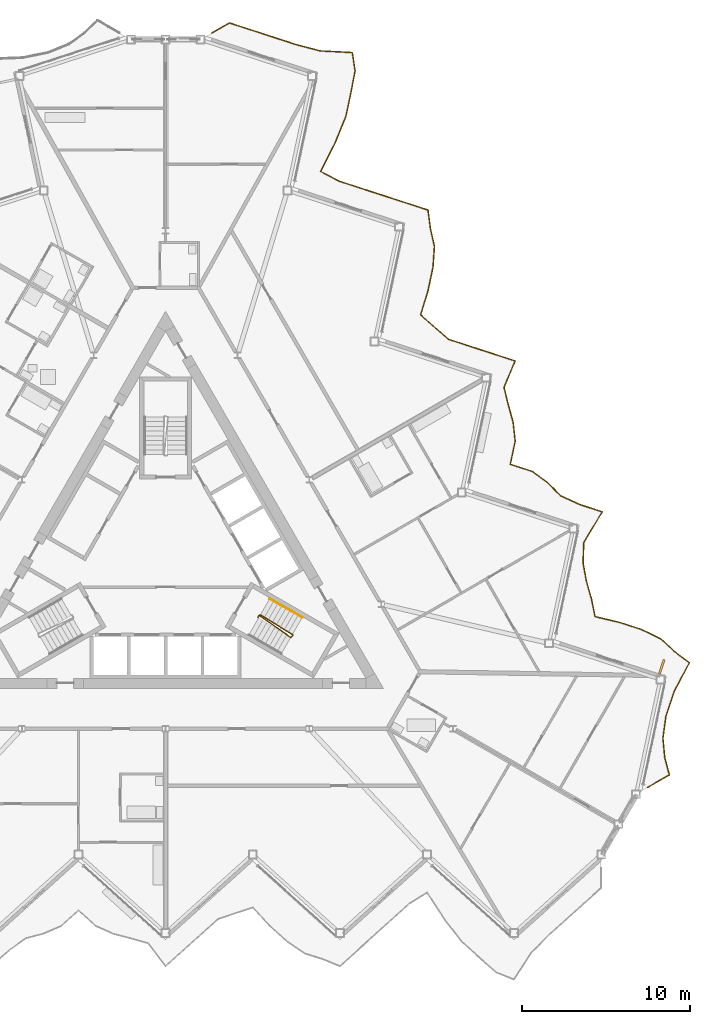
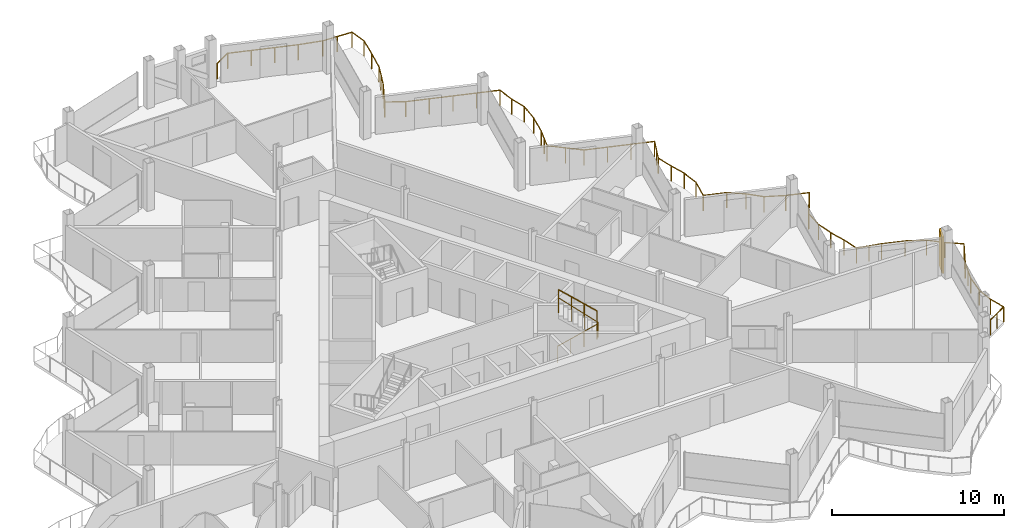
# One storey, part 23 of 26: 3 railings, 1 shading device.
"""IFC4 building model written with IfcOpenShell, lengths in metres."""

from ifc_helpers import new_model, si_unit, direction, frame, origin, origin_2d, place, context, subcontext, project, spatial, rectangle, circle, extrude, material, layer, layer_set, type_object, element, save


model = new_model("IFC4")

# Units and contexts
model_context = context("Model", 3, precision=1e-05, world=origin(), true_north=direction((0.0, 1.0)))
body_context = subcontext(model_context, "Body", "Model", "MODEL_VIEW")
ifc_project = project(units=[si_unit("LENGTHUNIT", "METRE"), si_unit("AREAUNIT", "SQUARE_METRE"), si_unit("VOLUMEUNIT", "CUBIC_METRE"), si_unit("PLANEANGLEUNIT", "RADIAN"), si_unit("MASSUNIT", "GRAM", prefix="KILO")], contexts=[model_context])

# Site, building, storey
site_placement = place(None, origin())
site = spatial("IfcSite", under=ifc_project, at=site_placement, CompositionType="ELEMENT")
building_placement = place(site_placement, origin())
building = spatial("IfcBuilding", under=site, at=building_placement, Name="Cormorant Prow Tower", CompositionType="ELEMENT")
storey_placement = place(building_placement, frame((0.0, 0.0, 381.39990234375)))
storey = spatial("IfcBuildingStorey", under=building, at=storey_placement, Name="L86", CompositionType="ELEMENT", Elevation=381.39990234375)

# Railings
ifc_material_1 = material(Name="Aluminium 6063-T6", Category="aluminium")
railing_type_1 = type_object("IfcRailingType", Name="Balcony guard 1100", PredefinedType="GUARDRAIL", material=ifc_material_1)
railing_1_placement = place(storey_placement, frame((28.752685546875, -13.421875, 0.0)))
element("IfcRailing", 1, at=railing_1_placement, inside=storey, type_object=railing_type_1, Name="Balcony guard ENE", PredefinedType="GUARDRAIL", context=body_context, shape_type="SweptSolid", body=[
    extrude(circle(Radius=0.02392578125, at=origin_2d()), frame((0.0, 0.0, 1.076171875), z_axis=(0.866030456496, 0.499991248344, 0.0), x_axis=(-0.499991248344, 0.866030456496, 0.0)), (0.0, 0.0, 1.0), 1.52001953125),
    extrude(circle(Radius=0.02392578125, at=origin_2d()), frame((1.31640625, 0.760009765625, 1.076171875), z_axis=(-0.25456018567, 0.967056933108, 0.0), x_axis=(-0.967056933108, -0.25456018567, 0.0)), (0.0, 0.0, 1.0), 1.077880859375),
    extrude(circle(Radius=0.02392578125, at=origin_2d()), frame((1.0419921875, 1.802490234375, 1.076171875), z_axis=(-0.094345723929, 0.995539494132, 0.0), x_axis=(-0.995539494132, -0.094345723929, 0.0)), (0.0, 0.0, 1.0), 1.143798828125),
    extrude(circle(Radius=0.02392578125, at=origin_2d()), frame((0.93408203125, 2.941162109375, 1.076171875), z_axis=(0.133927756616, 0.990991097845, 0.0), x_axis=(-0.990991097845, 0.133927756616, 0.0)), (0.0, 0.0, 1.0), 1.314208984375),
    extrude(circle(Radius=0.02392578125, at=origin_2d()), frame((1.110107421875, 4.24365234375, 1.076171875), z_axis=(0.315432447074, 0.948948034053, 0.0), x_axis=(-0.948948034053, 0.315432447074, 0.0)), (0.0, 0.0, 1.0), 1.565673828125),
    extrude(circle(Radius=0.02392578125, at=origin_2d()), frame((1.60400390625, 5.7294921875, 1.076171875), z_axis=(0.465555422045, 0.885018728053, 0.0), x_axis=(-0.885018728053, 0.465555422045, 0.0)), (0.0, 0.0, 1.0), 1.94921875),
    extrude(circle(Radius=0.02392578125, at=origin_2d()), frame((2.511474609375, 7.45458984375, 1.076171875), z_axis=(-0.799273587813, 0.60096733008, 0.0), x_axis=(-0.60096733008, -0.799273587813, 0.0)), (0.0, 0.0, 1.0), 1.130126953125),
    extrude(circle(Radius=0.02392578125, at=origin_2d()), frame((1.608154296875, 8.1337890625, 1.076171875), z_axis=(-0.732545721548, 0.680717831294, 0.0), x_axis=(-0.680717831294, -0.732545721548, 0.0)), (0.0, 0.0, 1.0), 1.088134765625),
    extrude(circle(Radius=0.02392578125, at=origin_2d()), frame((0.81103515625, 8.87451171875, 1.076171875), z_axis=(-0.897448694974, 0.441118850072, 0.0), x_axis=(-0.441118850072, -0.897448694974, 0.0)), (0.0, 0.0, 1.0), 1.251953125),
    extrude(circle(Radius=0.02392578125, at=origin_2d()), frame((-0.3125, 9.4267578125, 1.076171875), z_axis=(-0.951012270488, 0.309153135811, 0.0), x_axis=(-0.309153135811, -0.951012270488, 0.0)), (0.0, 0.0, 1.0), 1.3994140625),
    extrude(circle(Radius=0.02392578125, at=origin_2d()), frame((-1.643310546875, 9.859375, 1.076171875), z_axis=(-0.972903010085, 0.231213608959, 0.0), x_axis=(-0.231213608959, -0.972903010085, 0.0)), (0.0, 0.0, 1.0), 1.51416015625),
    extrude(circle(Radius=0.02392578125, at=origin_2d()), frame((-3.116455078125, 10.20947265625, 1.076171875), z_axis=(-0.201596352641, 0.979468687913, 0.0), x_axis=(-0.979468687913, -0.201596352641, 0.0)), (0.0, 0.0, 1.0), 1.095947265625),
    extrude(circle(Radius=0.02392578125, at=origin_2d()), frame((-3.33740234375, 11.282958984375, 1.076171875), z_axis=(-0.276315315013, 0.961067035482, 0.0), x_axis=(-0.961067035482, -0.276315315013, 0.0)), (0.0, 0.0, 1.0), 1.07177734375),
    extrude(circle(Radius=0.02392578125, at=origin_2d()), frame((-3.633544921875, 12.31298828125, 1.076171875), z_axis=(-0.179760955781, 0.983710322593, 0.0), x_axis=(-0.983710322593, -0.179760955781, 0.0)), (0.0, 0.0, 1.0), 1.104248046875),
    extrude(circle(Radius=0.02392578125, at=origin_2d()), frame((-3.83203125, 13.399169921875, 1.076171875), z_axis=(0.035421803322, 0.999372451016, 0.0), x_axis=(-0.999372451016, 0.035421803322, 0.0)), (0.0, 0.0, 1.0), 1.226806640625),
    extrude(circle(Radius=0.02392578125, at=origin_2d()), frame((-3.78857421875, 14.625244140625, 1.076171875), z_axis=(0.513992423675, 0.857794723932, 0.0), x_axis=(-0.857794723932, 0.513992423675, 0.0)), (0.0, 0.0, 1.0), 2.140380859375),
    extrude(circle(Radius=0.02392578125, at=origin_2d()), frame((-2.6884765625, 16.461181640625, 1.076171875), z_axis=(-0.951080208938, 0.308944066403, 0.0), x_axis=(-0.308944066403, -0.951080208938, 0.0)), (0.0, 0.0, 1.0), 1.3994140625),
    extrude(circle(Radius=0.02392578125, at=origin_2d()), frame((-4.01953125, 16.8935546875, 1.076171875), z_axis=(-0.909282126694, 0.416180266321, 0.0), x_axis=(-0.416180266321, -0.909282126694, 0.0)), (0.0, 0.0, 1.0), 1.27587890625),
    extrude(circle(Radius=0.02392578125, at=origin_2d()), frame((-5.1796875, 17.424560546875, 1.076171875), z_axis=(-0.701747981526, 0.712425273572, 0.0), x_axis=(-0.712425273572, -0.701747981526, 0.0)), (0.0, 0.0, 1.0), 1.07470703125),
    extrude(circle(Radius=0.02392578125, at=origin_2d()), frame((-5.933837890625, 18.190185546875, 1.076171875), z_axis=(-0.802655426289, 0.596443012072, 0.0), x_axis=(-0.596443012072, -0.802655426289, 0.0)), (0.0, 0.0, 1.0), 1.133056640625),
    extrude(circle(Radius=0.02392578125, at=origin_2d()), frame((-6.84326171875, 18.865966796875, 1.076171875), z_axis=(-0.951080208938, 0.308944066403, 0.0), x_axis=(-0.308944066403, -0.951080208938, 0.0)), (0.0, 0.0, 1.0), 1.3994140625),
    extrude(circle(Radius=0.02392578125, at=origin_2d()), frame((-8.17431640625, 19.29833984375, 1.076171875), z_axis=(0.207944297815, 0.978140669335, 0.0), x_axis=(-0.978140669335, 0.207944297815, 0.0)), (0.0, 0.0, 1.0), 1.3994140625),
    extrude(circle(Radius=0.02392578125, at=origin_2d()), frame((-7.88330078125, 20.667236328125, 1.076171875), z_axis=(-0.107602333357, 0.994194014192, 0.0), x_axis=(-0.994194014192, -0.107602333357, 0.0)), (0.0, 0.0, 1.0), 1.13671875),
    extrude(circle(Radius=0.02392578125, at=origin_2d()), frame((-8.005615234375, 21.79736328125, 1.076171875), z_axis=(-0.264808083684, 0.964301134924, 0.0), x_axis=(-0.964301134924, -0.264808083684, 0.0)), (0.0, 0.0, 1.0), 1.074951171875),
    extrude(circle(Radius=0.02392578125, at=origin_2d()), frame((-8.290283203125, 22.833984375, 1.076171875), z_axis=(-0.24142060339, 0.970420574936, 0.0), x_axis=(-0.970420574936, -0.24142060339, 0.0)), (0.0, 0.0, 1.0), 1.08203125),
    extrude(circle(Radius=0.02392578125, at=origin_2d()), frame((-8.551513671875, 23.884033203125, 1.076171875), z_axis=(0.386078994562, 0.922465722918, 0.0), x_axis=(-0.922465722918, 0.386078994562, 0.0)), (0.0, 0.0, 1.0), 1.716796875),
    extrude(circle(Radius=0.02392578125, at=origin_2d()), frame((-7.888671875, 25.4677734375, 1.076171875), z_axis=(-0.951063554534, 0.308995332064, 0.0), x_axis=(-0.308995332064, -0.951063554534, 0.0)), (0.0, 0.0, 1.0), 1.399169921875),
    extrude(circle(Radius=0.02392578125, at=origin_2d()), frame((-9.219482421875, 25.900146484375, 1.076171875), z_axis=(-0.951028941009, 0.309101849499, 0.0), x_axis=(-0.309101849499, -0.951028941009, 0.0)), (0.0, 0.0, 1.0), 1.399658203125),
    extrude(circle(Radius=0.02392578125, at=origin_2d()), frame((-10.550537109375, 26.332763671875, 1.076171875), z_axis=(-0.951080208938, 0.308944066403, 0.0), x_axis=(-0.308944066403, -0.951080208938, 0.0)), (0.0, 0.0, 1.0), 1.3994140625),
    extrude(circle(Radius=0.02392578125, at=origin_2d()), frame((-11.881591796875, 26.76513671875, 1.076171875), z_axis=(-0.751321904946, 0.659935902303, 0.0), x_axis=(-0.659935902303, -0.751321904946, 0.0)), (0.0, 0.0, 1.0), 1.097900390625),
    extrude(circle(Radius=0.02392578125, at=origin_2d()), frame((-12.70654296875, 27.48974609375, 1.076171875), z_axis=(-0.745783361413, 0.666188545263, 0.0), x_axis=(-0.666188545263, -0.745783361413, 0.0)), (0.0, 0.0, 1.0), 1.094970703125),
    extrude(circle(Radius=0.02392578125, at=origin_2d()), frame((-13.523193359375, 28.21923828125, 1.076171875), z_axis=(0.289499043639, 0.957178302999, 0.0), x_axis=(-0.957178302999, 0.289499043639, 0.0)), (0.0, 0.0, 1.0), 1.519775390625),
    extrude(circle(Radius=0.02392578125, at=origin_2d()), frame((-13.083251953125, 29.673828125, 1.076171875), z_axis=(0.20777738218, 0.978176139279, 0.0), x_axis=(-0.978176139279, 0.20777738218, 0.0)), (0.0, 0.0, 1.0), 1.3994140625),
    extrude(circle(Radius=0.02392578125, at=origin_2d()), frame((-12.79248046875, 31.042724609375, 1.076171875), z_axis=(0.072089367542, 0.997398176802, 0.0), x_axis=(-0.997398176802, 0.072089367542, 0.0)), (0.0, 0.0, 1.0), 1.25634765625),
    extrude(circle(Radius=0.02392578125, at=origin_2d()), frame((-12.701904296875, 32.2958984375, 1.076171875), z_axis=(-0.221107375774, 0.975249469817, 0.0), x_axis=(-0.975249469817, -0.221107375774, 0.0)), (0.0, 0.0, 1.0), 1.088623046875),
    extrude(circle(Radius=0.02392578125, at=origin_2d()), frame((-12.942626953125, 33.357666015625, 1.076171875), z_axis=(-0.129635742751, 0.991561684517, 0.0), x_axis=(-0.991561684517, -0.129635742751, 0.0)), (0.0, 0.0, 1.0), 1.126220703125),
    extrude(circle(Radius=0.02392578125, at=origin_2d()), frame((-13.088623046875, 34.474365234375, 1.076171875), z_axis=(-0.951028941009, 0.309101849499, 0.0), x_axis=(-0.309101849499, -0.951028941009, 0.0)), (0.0, 0.0, 1.0), 1.399658203125),
    extrude(circle(Radius=0.02392578125, at=origin_2d()), frame((-14.419677734375, 34.906982421875, 1.076171875), z_axis=(-0.951063554534, 0.308995332064, 0.0), x_axis=(-0.308995332064, -0.951063554534, 0.0)), (0.0, 0.0, 1.0), 1.399169921875),
    extrude(circle(Radius=0.02392578125, at=origin_2d()), frame((-15.75048828125, 35.33935546875, 1.076171875), z_axis=(-0.951080208938, 0.308944066403, 0.0), x_axis=(-0.308944066403, -0.951080208938, 0.0)), (0.0, 0.0, 1.0), 1.3994140625),
    extrude(circle(Radius=0.02392578125, at=origin_2d()), frame((-17.08154296875, 35.771728515625, 1.076171875), z_axis=(-0.951028941009, 0.309101849499, 0.0), x_axis=(-0.309101849499, -0.951028941009, 0.0)), (0.0, 0.0, 1.0), 1.399658203125),
    extrude(circle(Radius=0.02392578125, at=origin_2d()), frame((-18.41259765625, 36.204345703125, 1.076171875), z_axis=(-0.881977391016, 0.471291716176, 0.0), x_axis=(-0.471291716176, -0.881977391016, 0.0)), (0.0, 0.0, 1.0), 1.224609375),
    extrude(circle(Radius=0.02392578125, at=origin_2d()), frame((-19.49267578125, 36.781494140625, 1.076171875), z_axis=(0.451268220135, 0.892388364725, 0.0), x_axis=(-0.892388364725, 0.451268220135, 0.0)), (0.0, 0.0, 1.0), 1.900634765625),
    extrude(circle(Radius=0.02392578125, at=origin_2d()), frame((-18.635009765625, 38.4775390625, 1.076171875), z_axis=(0.378369741476, 0.925654546111, 0.0), x_axis=(-0.925654546111, 0.378369741476, 0.0)), (0.0, 0.0, 1.0), 1.6982421875),
    extrude(circle(Radius=0.02392578125, at=origin_2d()), frame((-17.992431640625, 40.049560546875, 1.076171875), z_axis=(0.207944297815, 0.978140669335, 0.0), x_axis=(-0.978140669335, 0.207944297815, 0.0)), (0.0, 0.0, 1.0), 1.3994140625),
    extrude(circle(Radius=0.02392578125, at=origin_2d()), frame((-17.701416015625, 41.41845703125, 1.076171875), z_axis=(0.191139913885, 0.981562801516, 0.0), x_axis=(-0.981562801516, 0.191139913885, 0.0)), (0.0, 0.0, 1.0), 1.378173828125),
    extrude(circle(Radius=0.02392578125, at=origin_2d()), frame((-17.43798828125, 42.771240234375, 1.076171875), z_axis=(-0.149494601808, 0.988762541782, 0.0), x_axis=(-0.988762541782, -0.149494601808, 0.0)), (0.0, 0.0, 1.0), 1.116943359375),
    extrude(circle(Radius=0.02392578125, at=origin_2d()), frame((-17.60498046875, 43.875732421875, 1.076171875), z_axis=(-0.998745657761, 0.050071060531, 0.0), x_axis=(-0.050071060531, -0.998745657761, 0.0)), (0.0, 0.0, 1.0), 1.916259765625),
    extrude(circle(Radius=0.02392578125, at=origin_2d()), frame((-19.518798828125, 43.9716796875, 1.076171875), z_axis=(-0.967496287377, 0.252885218849, 0.0), x_axis=(-0.252885218849, -0.967496287377, 0.0)), (0.0, 0.0, 1.0), 1.47998046875),
    extrude(circle(Radius=0.02392578125, at=origin_2d()), frame((-20.95068359375, 44.345947265625, 1.076171875), z_axis=(-0.951012270488, 0.309153135811, 0.0), x_axis=(-0.309153135811, -0.951012270488, 0.0)), (0.0, 0.0, 1.0), 1.3994140625),
    extrude(circle(Radius=0.02392578125, at=origin_2d()), frame((-22.281494140625, 44.778564453125, 1.076171875), z_axis=(-0.951080208938, 0.308944066403, 0.0), x_axis=(-0.308944066403, -0.951080208938, 0.0)), (0.0, 0.0, 1.0), 1.3994140625),
    extrude(circle(Radius=0.02392578125, at=origin_2d()), frame((-23.612548828125, 45.2109375, 1.076171875), z_axis=(-0.951063554534, 0.308995332064, 0.0), x_axis=(-0.308995332064, -0.951063554534, 0.0)), (0.0, 0.0, 1.0), 1.399169921875),
    extrude(circle(Radius=0.02392578125, at=origin_2d()), frame((-24.943359375, 45.643310546875, 1.076171875), z_axis=(-0.866092288191, -0.499884134912, 0.0), x_axis=(0.499884134912, -0.866092288191, 0.0)), (0.0, 0.0, 1.0), 1.219970703125),
    extrude(circle(Radius=0.02099609375, at=origin_2d()), origin(), (0.0, 0.0, 1.0), 1.052001953125),
    extrude(circle(Radius=0.02099609375, at=origin_2d()), frame((0.658203125, 0.3798828125, 0.0)), (0.0, 0.0, 1.0), 1.052001953125),
    extrude(circle(Radius=0.02099609375, at=origin_2d()), frame((1.31640625, 0.760009765625, 0.0)), (0.0, 0.0, 1.0), 1.052001953125),
    extrude(circle(Radius=0.02099609375, at=origin_2d()), frame((1.0419921875, 1.802490234375, 0.0)), (0.0, 0.0, 1.0), 1.052001953125),
    extrude(circle(Radius=0.02099609375, at=origin_2d()), frame((0.93408203125, 2.941162109375, 0.0)), (0.0, 0.0, 1.0), 1.052001953125),
    extrude(circle(Radius=0.02099609375, at=origin_2d()), frame((1.110107421875, 4.24365234375, 0.0)), (0.0, 0.0, 1.0), 1.052001953125),
    extrude(circle(Radius=0.02099609375, at=origin_2d()), frame((1.35693359375, 4.986572265625, 0.0)), (0.0, 0.0, 1.0), 1.052001953125),
    extrude(circle(Radius=0.02099609375, at=origin_2d()), frame((1.60400390625, 5.7294921875, 0.0)), (0.0, 0.0, 1.0), 1.052001953125),
    extrude(circle(Radius=0.02099609375, at=origin_2d()), frame((2.0576171875, 6.592041015625, 0.0)), (0.0, 0.0, 1.0), 1.052001953125),
    extrude(circle(Radius=0.02099609375, at=origin_2d()), frame((2.511474609375, 7.45458984375, 0.0)), (0.0, 0.0, 1.0), 1.052001953125),
    extrude(circle(Radius=0.02099609375, at=origin_2d()), frame((1.608154296875, 8.1337890625, 0.0)), (0.0, 0.0, 1.0), 1.052001953125),
    extrude(circle(Radius=0.02099609375, at=origin_2d()), frame((0.81103515625, 8.87451171875, 0.0)), (0.0, 0.0, 1.0), 1.052001953125),
    extrude(circle(Radius=0.02099609375, at=origin_2d()), frame((-0.3125, 9.4267578125, 0.0)), (0.0, 0.0, 1.0), 1.052001953125),
    extrude(circle(Radius=0.02099609375, at=origin_2d()), frame((-1.643310546875, 9.859375, 0.0)), (0.0, 0.0, 1.0), 1.052001953125),
    extrude(circle(Radius=0.02099609375, at=origin_2d()), frame((-2.3798828125, 10.034423828125, 0.0)), (0.0, 0.0, 1.0), 1.052001953125),
    extrude(circle(Radius=0.02099609375, at=origin_2d()), frame((-3.116455078125, 10.20947265625, 0.0)), (0.0, 0.0, 1.0), 1.052001953125),
    extrude(circle(Radius=0.02099609375, at=origin_2d()), frame((-3.33740234375, 11.282958984375, 0.0)), (0.0, 0.0, 1.0), 1.052001953125),
    extrude(circle(Radius=0.02099609375, at=origin_2d()), frame((-3.633544921875, 12.31298828125, 0.0)), (0.0, 0.0, 1.0), 1.052001953125),
    extrude(circle(Radius=0.02099609375, at=origin_2d()), frame((-3.83203125, 13.399169921875, 0.0)), (0.0, 0.0, 1.0), 1.052001953125),
    extrude(circle(Radius=0.02099609375, at=origin_2d()), frame((-3.78857421875, 14.625244140625, 0.0)), (0.0, 0.0, 1.0), 1.052001953125),
    extrude(circle(Radius=0.02099609375, at=origin_2d()), frame((-3.238525390625, 15.543212890625, 0.0)), (0.0, 0.0, 1.0), 1.052001953125),
    extrude(circle(Radius=0.02099609375, at=origin_2d()), frame((-2.6884765625, 16.461181640625, 0.0)), (0.0, 0.0, 1.0), 1.052001953125),
    extrude(circle(Radius=0.02099609375, at=origin_2d()), frame((-4.01953125, 16.8935546875, 0.0)), (0.0, 0.0, 1.0), 1.052001953125),
    extrude(circle(Radius=0.02099609375, at=origin_2d()), frame((-5.1796875, 17.424560546875, 0.0)), (0.0, 0.0, 1.0), 1.052001953125),
    extrude(circle(Radius=0.02099609375, at=origin_2d()), frame((-5.933837890625, 18.190185546875, 0.0)), (0.0, 0.0, 1.0), 1.052001953125),
    extrude(circle(Radius=0.02099609375, at=origin_2d()), frame((-6.84326171875, 18.865966796875, 0.0)), (0.0, 0.0, 1.0), 1.052001953125),
    extrude(circle(Radius=0.02099609375, at=origin_2d()), frame((-8.17431640625, 19.29833984375, 0.0)), (0.0, 0.0, 1.0), 1.052001953125),
    extrude(circle(Radius=0.02099609375, at=origin_2d()), frame((-7.88330078125, 20.667236328125, 0.0)), (0.0, 0.0, 1.0), 1.052001953125),
    extrude(circle(Radius=0.02099609375, at=origin_2d()), frame((-8.005615234375, 21.79736328125, 0.0)), (0.0, 0.0, 1.0), 1.052001953125),
    extrude(circle(Radius=0.02099609375, at=origin_2d()), frame((-8.290283203125, 22.833984375, 0.0)), (0.0, 0.0, 1.0), 1.052001953125),
    extrude(circle(Radius=0.02099609375, at=origin_2d()), frame((-8.551513671875, 23.884033203125, 0.0)), (0.0, 0.0, 1.0), 1.052001953125),
    extrude(circle(Radius=0.02099609375, at=origin_2d()), frame((-8.22021484375, 24.67578125, 0.0)), (0.0, 0.0, 1.0), 1.052001953125),
    extrude(circle(Radius=0.02099609375, at=origin_2d()), frame((-7.888671875, 25.4677734375, 0.0)), (0.0, 0.0, 1.0), 1.052001953125),
    extrude(circle(Radius=0.02099609375, at=origin_2d()), frame((-9.219482421875, 25.900146484375, 0.0)), (0.0, 0.0, 1.0), 1.052001953125),
    extrude(circle(Radius=0.02099609375, at=origin_2d()), frame((-10.550537109375, 26.332763671875, 0.0)), (0.0, 0.0, 1.0), 1.052001953125),
    extrude(circle(Radius=0.02099609375, at=origin_2d()), frame((-11.881591796875, 26.76513671875, 0.0)), (0.0, 0.0, 1.0), 1.052001953125),
    extrude(circle(Radius=0.02099609375, at=origin_2d()), frame((-12.70654296875, 27.48974609375, 0.0)), (0.0, 0.0, 1.0), 1.052001953125),
    extrude(circle(Radius=0.02099609375, at=origin_2d()), frame((-13.523193359375, 28.21923828125, 0.0)), (0.0, 0.0, 1.0), 1.052001953125),
    extrude(circle(Radius=0.02099609375, at=origin_2d()), frame((-13.30322265625, 28.946533203125, 0.0)), (0.0, 0.0, 1.0), 1.052001953125),
    extrude(circle(Radius=0.02099609375, at=origin_2d()), frame((-13.083251953125, 29.673828125, 0.0)), (0.0, 0.0, 1.0), 1.052001953125),
    extrude(circle(Radius=0.02099609375, at=origin_2d()), frame((-12.79248046875, 31.042724609375, 0.0)), (0.0, 0.0, 1.0), 1.052001953125),
    extrude(circle(Radius=0.02099609375, at=origin_2d()), frame((-12.701904296875, 32.2958984375, 0.0)), (0.0, 0.0, 1.0), 1.052001953125),
    extrude(circle(Radius=0.02099609375, at=origin_2d()), frame((-12.942626953125, 33.357666015625, 0.0)), (0.0, 0.0, 1.0), 1.052001953125),
    extrude(circle(Radius=0.02099609375, at=origin_2d()), frame((-13.088623046875, 34.474365234375, 0.0)), (0.0, 0.0, 1.0), 1.052001953125),
    extrude(circle(Radius=0.02099609375, at=origin_2d()), frame((-14.419677734375, 34.906982421875, 0.0)), (0.0, 0.0, 1.0), 1.052001953125),
    extrude(circle(Radius=0.02099609375, at=origin_2d()), frame((-15.75048828125, 35.33935546875, 0.0)), (0.0, 0.0, 1.0), 1.052001953125),
    extrude(circle(Radius=0.02099609375, at=origin_2d()), frame((-17.08154296875, 35.771728515625, 0.0)), (0.0, 0.0, 1.0), 1.052001953125),
    extrude(circle(Radius=0.02099609375, at=origin_2d()), frame((-18.41259765625, 36.204345703125, 0.0)), (0.0, 0.0, 1.0), 1.052001953125),
    extrude(circle(Radius=0.02099609375, at=origin_2d()), frame((-19.49267578125, 36.781494140625, 0.0)), (0.0, 0.0, 1.0), 1.052001953125),
    extrude(circle(Radius=0.02099609375, at=origin_2d()), frame((-19.06396484375, 37.62939453125, 0.0)), (0.0, 0.0, 1.0), 1.052001953125),
    extrude(circle(Radius=0.02099609375, at=origin_2d()), frame((-18.635009765625, 38.4775390625, 0.0)), (0.0, 0.0, 1.0), 1.052001953125),
    extrude(circle(Radius=0.02099609375, at=origin_2d()), frame((-18.313720703125, 39.263671875, 0.0)), (0.0, 0.0, 1.0), 1.052001953125),
    extrude(circle(Radius=0.02099609375, at=origin_2d()), frame((-17.992431640625, 40.049560546875, 0.0)), (0.0, 0.0, 1.0), 1.052001953125),
    extrude(circle(Radius=0.02099609375, at=origin_2d()), frame((-17.701416015625, 41.41845703125, 0.0)), (0.0, 0.0, 1.0), 1.052001953125),
    extrude(circle(Radius=0.02099609375, at=origin_2d()), frame((-17.43798828125, 42.771240234375, 0.0)), (0.0, 0.0, 1.0), 1.052001953125),
    extrude(circle(Radius=0.02099609375, at=origin_2d()), frame((-17.60498046875, 43.875732421875, 0.0)), (0.0, 0.0, 1.0), 1.052001953125),
    extrude(circle(Radius=0.02099609375, at=origin_2d()), frame((-18.56201171875, 43.923828125, 0.0)), (0.0, 0.0, 1.0), 1.052001953125),
    extrude(circle(Radius=0.02099609375, at=origin_2d()), frame((-19.518798828125, 43.9716796875, 0.0)), (0.0, 0.0, 1.0), 1.052001953125),
    extrude(circle(Radius=0.02099609375, at=origin_2d()), frame((-20.95068359375, 44.345947265625, 0.0)), (0.0, 0.0, 1.0), 1.052001953125),
    extrude(circle(Radius=0.02099609375, at=origin_2d()), frame((-22.281494140625, 44.778564453125, 0.0)), (0.0, 0.0, 1.0), 1.052001953125),
    extrude(circle(Radius=0.02099609375, at=origin_2d()), frame((-23.612548828125, 45.2109375, 0.0)), (0.0, 0.0, 1.0), 1.052001953125),
    extrude(circle(Radius=0.02099609375, at=origin_2d()), frame((-24.943359375, 45.643310546875, 0.0)), (0.0, 0.0, 1.0), 1.052001953125),
    extrude(circle(Radius=0.02099609375, at=origin_2d()), frame((-26.0, 45.033447265625, 0.0)), (0.0, 0.0, 1.0), 1.052001953125),
])
ifc_material_2 = material(Name="Stainless steel", Category="steel")
railing_type_2 = type_object("IfcRailingType", Name="Stair guard 1100", PredefinedType="GUARDRAIL", material=ifc_material_2)
railing_2_placement = place(storey_placement, frame((5.510009765625, -3.267822265625, 0.0)))
element("IfcRailing", 2, at=railing_2_placement, inside=storey, type_object=railing_type_2, Name="L86 ST2 stair guard 1", PredefinedType="GUARDRAIL", context=body_context, shape_type="SweptSolid", body=[
    extrude(circle(Radius=0.02392578125, at=origin_2d()), frame((0.0, 0.0, 1.076171875), z_axis=(0.501036270542, 0.865426285481, 0.0), x_axis=(-0.865426285481, 0.501036270542, 0.0)), (0.0, 0.0, 1.0), 0.150146484375),
    extrude(circle(Radius=0.02392578125, at=origin_2d()), frame((0.0751953125, 0.1298828125, 1.076171875), z_axis=(0.658637147058, -0.461037463629, 0.594677698965), x_axis=(0.573455215813, 0.819236910458, 0.0)), (0.0, 0.0, 1.0), 2.859130859375),
    extrude(circle(Radius=0.02392578125, at=origin_2d()), frame((1.958251953125, -1.188232421875, 2.7763671875), z_axis=(0.695164929852, 0.718850276695, 0.0), x_axis=(-0.718850276695, 0.695164929852, 0.0)), (0.0, 0.0, 1.0), 0.2060546875),
    extrude(circle(Radius=0.02392578125, at=origin_2d()), frame((2.1015625, -1.0400390625, 2.7763671875), z_axis=(-0.686515364547, 0.416565300991, 0.595961411712), x_axis=(-0.518752825935, -0.854924268918, 0.0)), (0.0, 0.0, 1.0), 2.8525390625),
    extrude(circle(Radius=0.02099609375, at=origin_2d()), origin(), (0.0, 0.0, 1.0), 1.052001953125),
    extrude(circle(Radius=0.02099609375, at=origin_2d()), frame((0.0751953125, 0.1298828125, 0.0)), (0.0, 0.0, 1.0), 1.052001953125),
    extrude(circle(Radius=0.02099609375, at=origin_2d()), frame((0.702880859375, -0.3095703125, 0.566650390625)), (0.0, 0.0, 1.0), 1.052001953125),
    extrude(circle(Radius=0.02099609375, at=origin_2d()), frame((1.33056640625, -0.748779296875, 1.133544921875)), (0.0, 0.0, 1.0), 1.052001953125),
    extrude(circle(Radius=0.02099609375, at=origin_2d()), frame((1.958251953125, -1.188232421875, 1.7001953125)), (0.0, 0.0, 1.0), 1.052001953125),
    extrude(circle(Radius=0.02099609375, at=origin_2d()), frame((2.1015625, -1.0400390625, 1.7001953125)), (0.0, 0.0, 1.0), 1.052001953125),
    extrude(circle(Radius=0.02099609375, at=origin_2d()), frame((1.44873046875, -0.64404296875, 2.266845703125)), (0.0, 0.0, 1.0), 1.052001953125),
    extrude(circle(Radius=0.02099609375, at=origin_2d()), frame((0.796142578125, -0.247802734375, 2.83349609375)), (0.0, 0.0, 1.0), 1.052001953125),
    extrude(circle(Radius=0.02099609375, at=origin_2d()), frame((0.143310546875, 0.148193359375, 3.400146484375)), (0.0, 0.0, 1.0), 1.052001953125),
])
ifc_material_3 = material(Name="Stainless steel", Category="steel")
railing_type_3 = type_object("IfcRailingType", Name="Stair handrail 900", PredefinedType="HANDRAIL", material=ifc_material_3)
railing_3_placement = place(storey_placement, frame((8.15283203125, -3.2705078125, 1.888916015625)))
element("IfcRailing", 3, at=railing_3_placement, inside=storey, type_object=railing_type_3, Name="L86 ST2 stair handrail 2", PredefinedType="HANDRAIL", context=body_context, shape_type="SweptSolid", body=[
    extrude(circle(Radius=0.02392578125, at=origin_2d()), frame((0.0, 0.0, 0.8759765625), z_axis=(-0.717940317343, 0.414446543626, 0.55928147047), x_axis=(-0.49994888933, -0.866054910533, 0.0)), (0.0, 0.0, 1.0), 2.7021484375),
    extrude(circle(Radius=0.02099609375, at=origin_2d()), origin(), (0.0, 0.0, 1.0), 0.851806640625),
    extrude(circle(Radius=0.02099609375, at=origin_2d()), frame((-0.646728515625, 0.373291015625, 0.503662109375)), (0.0, 0.0, 1.0), 0.851806640625),
    extrude(circle(Radius=0.02099609375, at=origin_2d()), frame((-1.293212890625, 0.74658203125, 1.007568359375)), (0.0, 0.0, 1.0), 0.851806640625),
    extrude(circle(Radius=0.02099609375, at=origin_2d()), frame((-1.93994140625, 1.119873046875, 1.51123046875)), (0.0, 0.0, 1.0), 0.851806640625),
])

# Shading device
ifc_material_4 = material(Name="Terracotta", Category="masonry")
ifc_layer = layer(ifc_material_4, 0.1201171875)
ifc_layer_set = layer_set([ifc_layer], Name="Terracotta")
shading_device_type = type_object("IfcShadingDeviceType", Name="Terracotta baguette fin 120x900x2600", PredefinedType="USERDEFINED", material=ifc_layer_set)
shading_device_placement = place(storey_placement, frame((29.6123046875, -6.207763671875, 0.0), z_axis=(0.0, 0.0, 1.0), x_axis=(-0.951056548553, 0.309016895096, 0.0)))
element("IfcShadingDevice", 4, at=shading_device_placement, inside=storey, type_object=shading_device_type, Name="Baguette fin ENE01", ObjectType="BAGUETTE", PredefinedType="USERDEFINED", context=body_context, shape_type="SweptSolid", body=[
    extrude(rectangle(XDim=0.1201171875, YDim=0.89990234375, at=origin_2d()), origin(), (0.0, 0.0, 1.0), 2.60009765625),
])

save(model, "model.ifc")
